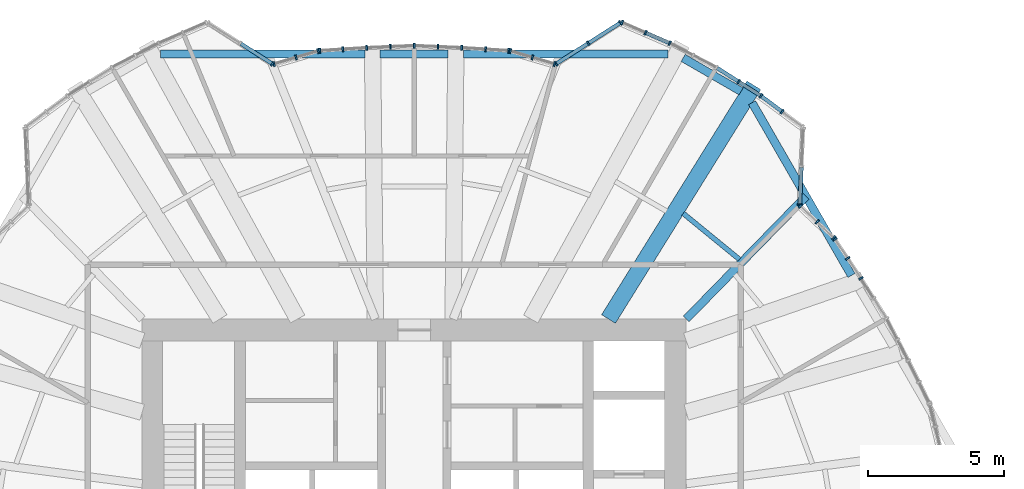
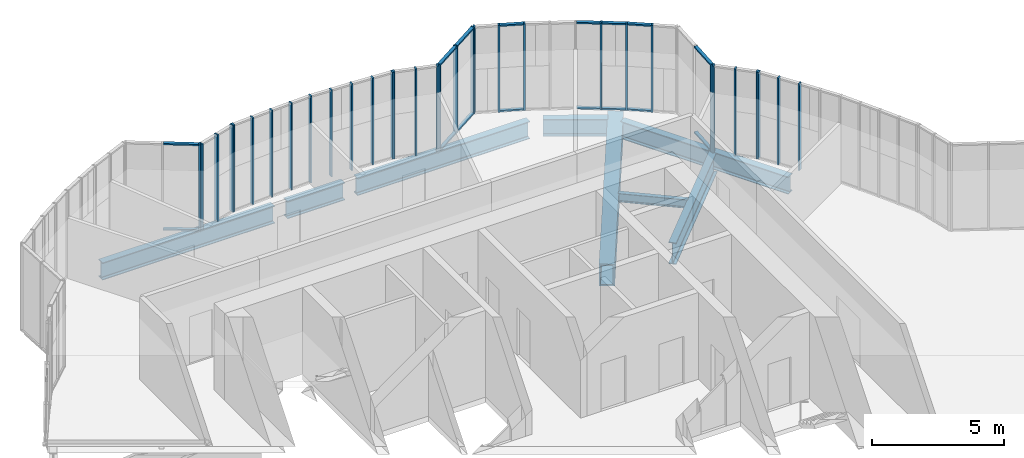
# One storey, part 7 of 24: 48 members, 8 beams, 16 elements without a shape of their own.
"""IFC4 building model written with IfcOpenShell, lengths in metres."""

import ifcopenshell
import ifcopenshell.guid

model = None  # the IFC model being written
_history = None  # IfcOwnerHistory: only IFC2X3 demands one
_inside = {}  # id of a spatial element -> (the spatial element, [elements in it])
_under = {}  # id of a project, library or spatial element -> (it, [spatial elements below it])
_declared = {}  # id of a project -> (the project, [libraries it declares])
_typed = {}  # id of a type object -> (the type object, [elements of that type])
_made_of = {}  # id of a material, layer set ... -> (it, [elements and type objects made of it])


def new_model(schema):
    """Start an empty IFC model of exactly this schema.

    Asked for "IFC4X3", IfcOpenShell would pick the latest addendum, in which some entities
    have other attributes; the version numbers below select the first issue.
    IFC2X3 requires an IfcOwnerHistory on every rooted entity: one is made here for all.
    """
    global model, _history
    if schema == "IFC4X3":
        model = ifcopenshell.file(schema_version=(4, 3, 0, 0))
    else:
        model = ifcopenshell.file(schema=schema)
    _inside.clear()
    _under.clear()
    _declared.clear()
    _typed.clear()
    _made_of.clear()
    _history = None
    if model.schema == "IFC2X3":
        org = make("IfcOrganization", Name="unknown")
        user = make(
            "IfcPersonAndOrganization",
            ThePerson=make("IfcPerson", FamilyName="unknown"),
            TheOrganization=org,
        )
        app = make(
            "IfcApplication",
            ApplicationDeveloper=org,
            Version="unknown",
            ApplicationFullName="unknown",
            ApplicationIdentifier="unknown",
        )
        _history = make(
            "IfcOwnerHistory",
            OwningUser=user,
            OwningApplication=app,
            ChangeAction="ADDED",
            CreationDate=0,
        )
    return model


def make(cls, **values):
    """One entity of the class cls with the attributes given. An attribute that is None is left unset."""
    return model.create_entity(
        cls, **{name: value for name, value in values.items() if value is not None}
    )


def rooted(cls, **values):
    """An entity with a GlobalId (a new one), such as an element, a storey or a relation."""
    return make(cls, GlobalId=ifcopenshell.guid.new(), OwnerHistory=_history, **values)


def si_unit(unit_type, name, prefix=None):
    """IfcSIUnit, for example si_unit("LENGTHUNIT", "METRE", prefix="MILLI")."""
    return make("IfcSIUnit", UnitType=unit_type, Prefix=prefix, Name=name)


def assignment(units):
    """IfcUnitAssignment: the units of a project."""
    return None if units is None else make("IfcUnitAssignment", Units=units)


def point(xyz):
    """IfcCartesianPoint."""
    return None if xyz is None else make("IfcCartesianPoint", Coordinates=xyz)


def direction(xyz):
    """IfcDirection."""
    return None if xyz is None else make("IfcDirection", DirectionRatios=xyz)


def frame(location, z_axis=None, x_axis=None):
    """IfcAxis2Placement3D, a coordinate frame: its origin and axes. An axis left out is left unset."""
    return make(
        "IfcAxis2Placement3D",
        Location=point(location),
        Axis=direction(z_axis),
        RefDirection=direction(x_axis),
    )


def frame_2d(location, x_axis=None):
    """IfcAxis2Placement2D, a coordinate frame in the plane: its origin and x axis."""
    return make(
        "IfcAxis2Placement2D", Location=point(location), RefDirection=direction(x_axis)
    )


def origin():
    """The frame at (0, 0, 0) with its axes left unset."""
    return frame((0.0, 0.0, 0.0))


def origin_2d():
    """The frame at (0, 0) in the plane with its x axis left unset."""
    return frame_2d((0.0, 0.0))


def place(relative_to, where):
    """IfcLocalPlacement: puts the frame where relative to a parent placement (None: the world)."""
    return make(
        "IfcLocalPlacement", PlacementRelTo=relative_to, RelativePlacement=where
    )


def context(
    kind, dimensions, precision=None, world=None, true_north=None, identifier=None
):
    """IfcGeometricRepresentationContext, for example the 3D "Model" context."""
    return make(
        "IfcGeometricRepresentationContext",
        ContextIdentifier=identifier,
        ContextType=kind,
        CoordinateSpaceDimension=dimensions,
        Precision=precision,
        WorldCoordinateSystem=world,
        TrueNorth=true_north,
    )


def subcontext(parent, identifier, kind, view, scale=None):
    """IfcGeometricRepresentationSubContext, for example "Body" below "Model"."""
    return make(
        "IfcGeometricRepresentationSubContext",
        ContextIdentifier=identifier,
        ContextType=kind,
        ParentContext=parent,
        TargetScale=scale,
        TargetView=view,
    )


def project(units=None, contexts=None):
    """IfcProject with its units and contexts."""
    return rooted(
        "IfcProject",
        Name="project",
        RepresentationContexts=contexts,
        UnitsInContext=assignment(units),
    )


def spatial(cls, under=None, at=None, **own):
    """A site, building, storey or space (cls), placed at a placement, below another one or the project."""
    s = rooted(cls, ObjectPlacement=at, **own)
    if under is not None:
        _under.setdefault(under.id(), (under, []))[1].append(s)
    return s


def profile(cls, at=None, kind="AREA", **sizes):
    """A parametric profile (cls). Its sizes go by their IFC names, for example OverallWidth=200.0."""
    return make(cls, ProfileType=kind, Position=at, **sizes)


def rectangle(**sizes):
    """IfcRectangleProfileDef."""
    return profile("IfcRectangleProfileDef", **sizes)


def hollow_rectangle(**sizes):
    """IfcRectangleHollowProfileDef."""
    return profile("IfcRectangleHollowProfileDef", **sizes)


def i_section(**sizes):
    """IfcIShapeProfileDef."""
    return profile("IfcIShapeProfileDef", **sizes)


def extrude(swept, where, along, depth):
    """IfcExtrudedAreaSolid: the profile swept, set in the frame where, extruded along a direction by depth."""
    return make(
        "IfcExtrudedAreaSolid",
        SweptArea=swept,
        Position=where,
        ExtrudedDirection=direction(along),
        Depth=depth,
    )


def shape(context_of_items, identifier, shape_type, items):
    """IfcShapeRepresentation: the items that make up one representation, for example the "Body"."""
    return make(
        "IfcShapeRepresentation",
        ContextOfItems=context_of_items,
        RepresentationIdentifier=identifier,
        RepresentationType=shape_type,
        Items=items,
    )


def material(Name=None, Category=None):
    """IfcMaterial."""
    return make("IfcMaterial", Name=Name, Category=Category)


def material_profile(
    of_material, cross_section, Name=None, Category=None, Priority=None
):
    """IfcMaterialProfile: a cross section and its material."""
    return make(
        "IfcMaterialProfile",
        Name=Name,
        Material=of_material,
        Profile=cross_section,
        Priority=Priority,
        Category=Category,
    )


def profile_set(profiles, Name=None, composite=None):
    """IfcMaterialProfileSet."""
    return make(
        "IfcMaterialProfileSet",
        Name=Name,
        MaterialProfiles=profiles,
        CompositeProfile=composite,
    )


def made_of(thing, what):
    """Note that an element or type object is made of a material, layer set ...; save() writes the relation."""
    if what is not None:
        _made_of.setdefault(what.id(), (what, []))[1].append(thing)
    return thing


def type_object(cls, material=None, **own):
    """A type object (cls), such as IfcWallType, which elements share."""
    return made_of(rooted(cls, **own), material)


def element(
    cls,
    number,
    at=None,
    inside=None,
    cuts=None,
    type_object=None,
    material=None,
    context=None,
    identifier="Body",
    shape_type=None,
    held_by="IfcProductDefinitionShape",
    body=None,
    shapes=None,
    **own,
):
    """One element of the class cls, such as IfcWall. Its Tag is "e" and its number.

    at: its placement. inside: the storey or other place that contains it. cuts: it is an
    opening in that element (IfcRelVoidsElement). A single representation is given by context,
    identifier, shape_type and body (its items); several are given by shapes. held_by: the class
    of the entity that holds the representations. save() writes the other relations.
    """
    e = rooted(cls, Tag="e%d" % number, ObjectPlacement=at, **own)
    if body is not None:
        shapes = [shape(context, identifier, shape_type, body)]
    if shapes is not None:
        e.Representation = make(held_by, Representations=shapes)
    if inside is not None:
        _inside.setdefault(inside.id(), (inside, []))[1].append(e)
    if cuts is not None:
        rooted(
            "IfcRelVoidsElement", RelatingBuildingElement=cuts, RelatedOpeningElement=e
        )
    if type_object is not None:
        _typed.setdefault(type_object.id(), (type_object, []))[1].append(e)
    return made_of(e, material)


def aggregate(whole, parts):
    """IfcRelAggregates: a whole, such as a stair, and the parts it consists of."""
    return rooted("IfcRelAggregates", RelatingObject=whole, RelatedObjects=parts)


def save(model, path):
    """Write the relations noted so far, then the file.

    IfcRelAggregates (storeys below a building ...), IfcRelContainedInSpatialStructure (elements
    in a storey), IfcRelDefinesByType, IfcRelAssociatesMaterial and IfcRelDeclares: one each for
    every whole, place, type object, material and project.
    """
    for whole, parts in _under.values():
        aggregate(whole, parts)
    for where, things in _inside.values():
        rooted(
            "IfcRelContainedInSpatialStructure",
            RelatedElements=things,
            RelatingStructure=where,
        )
    for kind, things in _typed.values():
        rooted("IfcRelDefinesByType", RelatedObjects=things, RelatingType=kind)
    for what, things in _made_of.values():
        rooted("IfcRelAssociatesMaterial", RelatedObjects=things, RelatingMaterial=what)
    for by, libraries in _declared.values():
        rooted("IfcRelDeclares", RelatingContext=by, RelatedDefinitions=libraries)
    model.write(path)


model = new_model("IFC4")

# Units and contexts
model_context = context("Model", 3, precision=1e-05, world=origin(), true_north=direction((0.0, 1.0)))
body_context = subcontext(model_context, "Body", "Model", "MODEL_VIEW")
ifc_project = project(units=[si_unit("LENGTHUNIT", "METRE"), si_unit("AREAUNIT", "SQUARE_METRE"), si_unit("VOLUMEUNIT", "CUBIC_METRE"), si_unit("PLANEANGLEUNIT", "RADIAN"), si_unit("MASSUNIT", "GRAM", prefix="KILO")], contexts=[model_context])

# Site, building, storey
site_placement = place(None, origin())
site = spatial("IfcSite", under=ifc_project, at=site_placement, CompositionType="ELEMENT")
building_placement = place(site_placement, origin())
building = spatial("IfcBuilding", under=site, at=building_placement, Name="Golbaran Civic Tower", CompositionType="ELEMENT")
storey_placement = place(building_placement, frame((0.0, 0.0, 25.0)))
storey = spatial("IfcBuildingStorey", under=building, at=storey_placement, Name="L05", CompositionType="ELEMENT", Elevation=25.0)

# Beams
ifc_material_1 = material(Name="Steel S355", Category="steel")
ifc_material_profile_1 = material_profile(ifc_material_1, i_section(OverallWidth=0.300048828125, OverallDepth=0.800048828125, WebThickness=0.017578125, FlangeThickness=0.032958984375, FilletRadius=0.030029296875, at=origin_2d()), Name="HEB 800")
ifc_profile_set_1 = profile_set([ifc_material_profile_1], Name="Steel S355")
beam_type_1 = type_object("IfcBeamType", Name="EDGE BEAM HEB 800", PredefinedType="BEAM", material=ifc_profile_set_1)
beam_1_placement = place(storey_placement, frame((16.0751953125, 11.600830078125, -0.60009765625), z_axis=(-0.498794630906, 0.866720206398, 0.0), x_axis=(-0.866720206398, -0.498794630906, 0.0)))
element("IfcBeam", 1, at=beam_1_placement, inside=storey, type_object=beam_type_1, Name="Edge beam 34.26 L05", PredefinedType="BEAM", context=body_context, shape_type="SweptSolid", body=[
    extrude(i_section(OverallWidth=0.300048828125, OverallDepth=0.800048828125, WebThickness=0.017578125, FlangeThickness=0.032958984375, FilletRadius=0.030029296875, at=origin_2d()), origin(), (0.0, 0.0, 1.0), 7.32958984375),
])
beam_2_placement = place(storey_placement, frame((12.01806640625, 18.368896484375, -0.60009765625), z_axis=(-0.866183934036, 0.499725316967, 0.0), x_axis=(-0.499725316967, -0.866183934036, 0.0)))
element("IfcBeam", 2, at=beam_2_placement, inside=storey, type_object=beam_type_1, Name="Edge beam 56.17 L05", PredefinedType="BEAM", context=body_context, shape_type="SweptSolid", body=[
    extrude(i_section(OverallWidth=0.300048828125, OverallDepth=0.800048828125, WebThickness=0.017578125, FlangeThickness=0.032958984375, FilletRadius=0.030029296875, at=origin_2d()), origin(), (0.0, 0.0, 1.0), 2.46044921875),
])
beam_3_placement = place(storey_placement, frame((9.324951171875, 19.73828125, -0.60009765625), z_axis=(-0.999999995251, -9.7453222e-05, 0.0), x_axis=(9.7453222e-05, -0.999999995251, 0.0)))
element("IfcBeam", 3, at=beam_3_placement, inside=storey, type_object=beam_type_1, Name="Edge beam 63.83 L05", PredefinedType="BEAM", context=body_context, shape_type="SweptSolid", body=[
    extrude(i_section(OverallWidth=0.300048828125, OverallDepth=0.800048828125, WebThickness=0.017578125, FlangeThickness=0.032958984375, FilletRadius=0.030029296875, at=origin_2d()), origin(), (0.0, 0.0, 1.0), 7.515625),
])
beam_4_placement = place(storey_placement, frame((1.249267578125, 19.737548828125, -0.60009765625), z_axis=(-1.0, 0.0, 0.0), x_axis=(0.0, -1.0, 0.0)))
element("IfcBeam", 4, at=beam_4_placement, inside=storey, type_object=beam_type_1, Name="Edge beam 85.74 L05", PredefinedType="BEAM", context=body_context, shape_type="SweptSolid", body=[
    extrude(i_section(OverallWidth=0.300048828125, OverallDepth=0.800048828125, WebThickness=0.017578125, FlangeThickness=0.032958984375, FilletRadius=0.030029296875, at=origin_2d()), origin(), (0.0, 0.0, 1.0), 2.49853515625),
])
beam_5_placement = place(storey_placement, frame((-1.809326171875, 19.737548828125, -0.60009765625), z_axis=(-0.999999995251, 9.7453222e-05, 0.0), x_axis=(-9.7453222e-05, -0.999999995251, 0.0)))
element("IfcBeam", 5, at=beam_5_placement, inside=storey, type_object=beam_type_1, Name="Edge beam 94.26 L05", PredefinedType="BEAM", context=body_context, shape_type="SweptSolid", body=[
    extrude(i_section(OverallWidth=0.300048828125, OverallDepth=0.800048828125, WebThickness=0.017578125, FlangeThickness=0.032958984375, FilletRadius=0.030029296875, at=origin_2d()), origin(), (0.0, 0.0, 1.0), 7.515625),
])
ifc_material_profile_2 = material_profile(ifc_material_1, i_section(OverallWidth=0.179931640625, OverallDepth=0.39990234375, WebThickness=0.008544921875, FlangeThickness=0.013427734375, FilletRadius=0.02099609375, at=origin_2d()), Name="IPE 400")
ifc_profile_set_2 = profile_set([ifc_material_profile_2], Name="Steel S355")
beam_type_2 = type_object("IfcBeamType", Name="FLOOR INFILL BEAM IPE 400", PredefinedType="BEAM", material=ifc_profile_set_2)
beam_6_placement = place(storey_placement, frame((11.956787109375, 12.190673828125, -0.39990234375), z_axis=(-0.773798586029, 0.633431723439, 0.0), x_axis=(-0.633431723439, -0.773798586029, 0.0)))
element("IfcBeam", 6, at=beam_6_placement, inside=storey, type_object=beam_type_2, Name="Infill beam 50.69 L05", PredefinedType="BEAM", context=body_context, shape_type="SweptSolid", body=[
    extrude(i_section(OverallWidth=0.179931640625, OverallDepth=0.39990234375, WebThickness=0.008544921875, FlangeThickness=0.013427734375, FilletRadius=0.02099609375, at=origin_2d()), origin(), (0.0, 0.0, 1.0), 2.67333984375),
])

# Curtain wall, member
ifc_material_2 = material(Name="Aluminium and glass", Category="aluminium")
curtain_wall_type = type_object("IfcCurtainWallType", Name="INNER SKIN CURTAIN WALL", PredefinedType="NOTDEFINED", material=ifc_material_2)
curtain_wall_1_placement = place(storey_placement, origin())
curtain_wall_1 = element("IfcCurtainWall", 7, at=curtain_wall_1_placement, inside=storey, type_object=curtain_wall_type, Name="Inner skin L05 facet 7 CW1", ObjectType="INNER SKIN", PredefinedType="USERDEFINED")
ifc_material_3 = material(Name="Aluminium", Category="aluminium")
ifc_material_profile_3 = material_profile(ifc_material_3, rectangle(XDim=0.179931640625, YDim=0.06494140625, at=origin_2d()), Name="INNER SKIN CURTAIN WALL MULLION")
ifc_profile_set_3 = profile_set([ifc_material_profile_3], Name="Aluminium")
member_type_1 = type_object("IfcMemberType", Name="INNER SKIN CURTAIN WALL MULLION", PredefinedType="MULLION", material=ifc_profile_set_3)
member_1_placement = place(storey_placement, frame((16.421630859375, 11.49853515625, 0.0), z_axis=(0.0, 0.0, 1.0), x_axis=(-0.838087628106, -0.54553563368, 0.0)))
member_1 = element("IfcMember", 8, at=member_1_placement, type_object=member_type_1, Name="CW1 mullion 3", PredefinedType="MULLION", context=body_context, shape_type="SweptSolid", body=[
    extrude(rectangle(XDim=0.179931640625, YDim=0.06494140625, at=origin_2d()), origin(), (0.0, 0.0, 1.0), 4.0),
])
aggregate(curtain_wall_1, [member_1])

# Curtain wall, members
curtain_wall_2_placement = place(storey_placement, origin())
curtain_wall_2 = element("IfcCurtainWall", 9, at=curtain_wall_2_placement, inside=storey, type_object=curtain_wall_type, Name="Inner skin L05 facet 8 CW1", ObjectType="INNER SKIN", PredefinedType="USERDEFINED")
member_2_placement = place(storey_placement, frame((15.934814453125, 12.23046875, 0.0), z_axis=(0.0, 0.0, 1.0), x_axis=(-0.832703385336, -0.553719307998, 0.0)))
member_2 = element("IfcMember", 10, at=member_2_placement, type_object=member_type_1, Name="CW1 mullion 2", PredefinedType="MULLION", context=body_context, shape_type="SweptSolid", body=[
    extrude(rectangle(XDim=0.179931640625, YDim=0.06494140625, at=origin_2d()), origin(), (0.0, 0.0, 1.0), 4.0),
])
member_3_placement = place(storey_placement, frame((15.466064453125, 12.935302734375, 0.0), z_axis=(0.0, 0.0, 1.0), x_axis=(-0.832703385336, -0.553719307998, 0.0)))
member_3 = element("IfcMember", 11, at=member_3_placement, type_object=member_type_1, Name="CW1 mullion 3", PredefinedType="MULLION", context=body_context, shape_type="SweptSolid", body=[
    extrude(rectangle(XDim=0.179931640625, YDim=0.06494140625, at=origin_2d()), origin(), (0.0, 0.0, 1.0), 4.0),
])
aggregate(curtain_wall_2, [member_2, member_3])

curtain_wall_3_placement = place(storey_placement, origin())
curtain_wall_3 = element("IfcCurtainWall", 12, at=curtain_wall_3_placement, inside=storey, type_object=curtain_wall_type, Name="Inner skin L05 facet 9 CW1", ObjectType="INNER SKIN", PredefinedType="USERDEFINED")
member_4_placement = place(storey_placement, frame((15.424560546875, 12.98486328125, 0.0), z_axis=(0.0, 0.0, 1.0), x_axis=(-0.689904492493, -0.723900401463, 0.0)))
member_4 = element("IfcMember", 13, at=member_4_placement, type_object=member_type_1, Name="CW1 mullion 1", PredefinedType="MULLION", context=body_context, shape_type="SweptSolid", body=[
    extrude(rectangle(XDim=0.179931640625, YDim=0.06494140625, at=origin_2d()), origin(), (0.0, 0.0, 1.0), 4.0),
])
member_5_placement = place(storey_placement, frame((14.811767578125, 13.56884765625, 0.0), z_axis=(0.0, 0.0, 1.0), x_axis=(-0.689904492493, -0.723900401463, 0.0)))
member_5 = element("IfcMember", 14, at=member_5_placement, type_object=member_type_1, Name="CW1 mullion 2", PredefinedType="MULLION", context=body_context, shape_type="SweptSolid", body=[
    extrude(rectangle(XDim=0.179931640625, YDim=0.06494140625, at=origin_2d()), origin(), (0.0, 0.0, 1.0), 4.0),
])
member_6_placement = place(storey_placement, frame((14.198974609375, 14.15283203125, 0.0), z_axis=(0.0, 0.0, 1.0), x_axis=(-0.689904492493, -0.723900401463, 0.0)))
member_6 = element("IfcMember", 15, at=member_6_placement, type_object=member_type_1, Name="CW1 mullion 3", PredefinedType="MULLION", context=body_context, shape_type="SweptSolid", body=[
    extrude(rectangle(XDim=0.179931640625, YDim=0.06494140625, at=origin_2d()), origin(), (0.0, 0.0, 1.0), 4.0),
])
aggregate(curtain_wall_3, [member_4, member_5, member_6])

# Curtain wall, member
curtain_wall_4_placement = place(storey_placement, origin())
curtain_wall_4 = element("IfcCurtainWall", 16, at=curtain_wall_4_placement, inside=storey, type_object=curtain_wall_type, Name="Inner skin L05 facet 10 CW1", ObjectType="INNER SKIN", PredefinedType="USERDEFINED")
member_7_placement = place(storey_placement, frame((14.1767578125, 14.207763671875, 0.0), z_axis=(0.0, 0.0, 1.0), x_axis=(-0.999008307341, 0.044524171678, 0.0)))
member_7 = element("IfcMember", 17, at=member_7_placement, type_object=member_type_1, Name="CW1 mullion 1", PredefinedType="MULLION", context=body_context, shape_type="SweptSolid", body=[
    extrude(rectangle(XDim=0.179931640625, YDim=0.06494140625, at=origin_2d()), origin(), (0.0, 0.0, 1.0), 4.0),
])

# Curtain wall, members
curtain_wall_5_placement = place(storey_placement, origin())
curtain_wall_5 = element("IfcCurtainWall", 18, at=curtain_wall_5_placement, inside=storey, type_object=curtain_wall_type, Name="Inner skin L05 facet 11 CW1", ObjectType="INNER SKIN", PredefinedType="USERDEFINED")
member_8_placement = place(storey_placement, frame((13.5244140625, 17.624267578125, 0.0), z_axis=(0.0, 0.0, 1.0), x_axis=(-0.596019495177, -0.802969962931, 0.0)))
member_8 = element("IfcMember", 19, at=member_8_placement, type_object=member_type_1, Name="CW1 mullion 2", PredefinedType="MULLION", context=body_context, shape_type="SweptSolid", body=[
    extrude(rectangle(XDim=0.179931640625, YDim=0.06494140625, at=origin_2d()), origin(), (0.0, 0.0, 1.0), 4.0),
])
member_9_placement = place(storey_placement, frame((12.745361328125, 18.202392578125, 0.0), z_axis=(0.0, 0.0, 1.0), x_axis=(-0.567019860077, -0.823704120591, 0.0)))
member_9 = element("IfcMember", 20, at=member_9_placement, type_object=member_type_1, Name="CW1 mullion 3", PredefinedType="MULLION", context=body_context, shape_type="SweptSolid", body=[
    extrude(rectangle(XDim=0.179931640625, YDim=0.06494140625, at=origin_2d()), origin(), (0.0, 0.0, 1.0), 4.0),
])

# Curtain wall, member
curtain_wall_6_placement = place(storey_placement, origin())
curtain_wall_6 = element("IfcCurtainWall", 21, at=curtain_wall_6_placement, inside=storey, type_object=curtain_wall_type, Name="Inner skin L05 facet 12 CW1", ObjectType="INNER SKIN", PredefinedType="USERDEFINED")
member_10_placement = place(storey_placement, frame((11.927978515625, 18.72314453125, 0.0), z_axis=(0.0, 0.0, 1.0), x_axis=(-0.537299608259, -0.843391445869, 0.0)))
member_10 = element("IfcMember", 22, at=member_10_placement, type_object=member_type_1, Name="CW1 mullion 2", PredefinedType="MULLION", context=body_context, shape_type="SweptSolid", body=[
    extrude(rectangle(XDim=0.179931640625, YDim=0.06494140625, at=origin_2d()), origin(), (0.0, 0.0, 1.0), 4.0),
])

curtain_wall_7_placement = place(storey_placement, origin())
curtain_wall_7 = element("IfcCurtainWall", 23, at=curtain_wall_7_placement, inside=storey, type_object=curtain_wall_type, Name="Inner skin L05 facet 13 CW1", ObjectType="INNER SKIN", PredefinedType="USERDEFINED")
member_11_placement = place(storey_placement, frame((9.39111328125, 20.13916015625, 0.0), z_axis=(0.0, 0.0, 1.0), x_axis=(-0.429838763705, -0.90290566352, 0.0)))
member_11 = element("IfcMember", 24, at=member_11_placement, type_object=member_type_1, Name="CW1 mullion 3", PredefinedType="MULLION", context=body_context, shape_type="SweptSolid", body=[
    extrude(rectangle(XDim=0.179931640625, YDim=0.06494140625, at=origin_2d()), origin(), (0.0, 0.0, 1.0), 4.0),
])
aggregate(curtain_wall_7, [member_11])

# Curtain wall, members
curtain_wall_8_placement = place(storey_placement, origin())
curtain_wall_8 = element("IfcCurtainWall", 25, at=curtain_wall_8_placement, inside=storey, type_object=curtain_wall_type, Name="Inner skin L05 facet 14 CW1", ObjectType="INNER SKIN", PredefinedType="USERDEFINED")
member_12_placement = place(storey_placement, frame((8.500732421875, 20.524658203125, 0.0), z_axis=(0.0, 0.0, 1.0), x_axis=(-0.397382638705, -0.917653005474, 0.0)))
member_12 = element("IfcMember", 26, at=member_12_placement, type_object=member_type_1, Name="CW1 mullion 2", PredefinedType="MULLION", context=body_context, shape_type="SweptSolid", body=[
    extrude(rectangle(XDim=0.179931640625, YDim=0.06494140625, at=origin_2d()), origin(), (0.0, 0.0, 1.0), 4.0),
])
member_13_placement = place(storey_placement, frame((7.640380859375, 20.897216796875, 0.0), z_axis=(0.0, 0.0, 1.0), x_axis=(-0.397382638705, -0.917653005474, 0.0)))
member_13 = element("IfcMember", 27, at=member_13_placement, type_object=member_type_1, Name="CW1 mullion 3", PredefinedType="MULLION", context=body_context, shape_type="SweptSolid", body=[
    extrude(rectangle(XDim=0.179931640625, YDim=0.06494140625, at=origin_2d()), origin(), (0.0, 0.0, 1.0), 4.0),
])

curtain_wall_9_placement = place(storey_placement, origin())
curtain_wall_9 = element("IfcCurtainWall", 28, at=curtain_wall_9_placement, inside=storey, type_object=curtain_wall_type, Name="Inner skin L05 facet 15 CW1", ObjectType="INNER SKIN", PredefinedType="USERDEFINED")
member_14_placement = place(storey_placement, frame((7.583251953125, 20.892578125, 0.0), z_axis=(0.0, 0.0, 1.0), x_axis=(0.53806321722, -0.842904487042, 0.0)))
member_14 = element("IfcMember", 29, at=member_14_placement, type_object=member_type_1, Name="CW1 mullion 1", PredefinedType="MULLION", context=body_context, shape_type="SweptSolid", body=[
    extrude(rectangle(XDim=0.179931640625, YDim=0.06494140625, at=origin_2d()), origin(), (0.0, 0.0, 1.0), 4.0),
])
member_15_placement = place(storey_placement, frame((6.399658203125, 20.136962890625, 0.0), z_axis=(0.0, 0.0, 1.0), x_axis=(0.53806321722, -0.842904487042, 0.0)))
member_15 = element("IfcMember", 30, at=member_15_placement, type_object=member_type_1, Name="CW1 mullion 2", PredefinedType="MULLION", context=body_context, shape_type="SweptSolid", body=[
    extrude(rectangle(XDim=0.179931640625, YDim=0.06494140625, at=origin_2d()), origin(), (0.0, 0.0, 1.0), 4.0),
])
member_16_placement = place(storey_placement, frame((5.2158203125, 19.38134765625, 0.0), z_axis=(0.0, 0.0, 1.0), x_axis=(0.53806321722, -0.842904487042, 0.0)))
member_16 = element("IfcMember", 31, at=member_16_placement, type_object=member_type_1, Name="CW1 mullion 3", PredefinedType="MULLION", context=body_context, shape_type="SweptSolid", body=[
    extrude(rectangle(XDim=0.179931640625, YDim=0.06494140625, at=origin_2d()), origin(), (0.0, 0.0, 1.0), 4.0),
])

curtain_wall_10_placement = place(storey_placement, origin())
curtain_wall_10 = element("IfcCurtainWall", 32, at=curtain_wall_10_placement, inside=storey, type_object=curtain_wall_type, Name="Inner skin L05 facet 16 CW1", ObjectType="INNER SKIN", PredefinedType="USERDEFINED")
member_17_placement = place(storey_placement, frame((5.157470703125, 19.373046875, 0.0), z_axis=(0.0, 0.0, 1.0), x_axis=(-0.28196389056, -0.959425017612, 0.0)))
member_17 = element("IfcMember", 33, at=member_17_placement, type_object=member_type_1, Name="CW1 mullion 1", PredefinedType="MULLION", context=body_context, shape_type="SweptSolid", body=[
    extrude(rectangle(XDim=0.179931640625, YDim=0.06494140625, at=origin_2d()), origin(), (0.0, 0.0, 1.0), 4.0),
])
member_18_placement = place(storey_placement, frame((4.34521484375, 19.61181640625, 0.0), z_axis=(0.0, 0.0, 1.0), x_axis=(-0.28196389056, -0.959425017612, 0.0)))
member_18 = element("IfcMember", 34, at=member_18_placement, type_object=member_type_1, Name="CW1 mullion 2", PredefinedType="MULLION", context=body_context, shape_type="SweptSolid", body=[
    extrude(rectangle(XDim=0.179931640625, YDim=0.06494140625, at=origin_2d()), origin(), (0.0, 0.0, 1.0), 4.0),
])
member_19_placement = place(storey_placement, frame((3.532958984375, 19.8505859375, 0.0), z_axis=(0.0, 0.0, 1.0), x_axis=(-0.28196389056, -0.959425017612, 0.0)))
member_19 = element("IfcMember", 35, at=member_19_placement, type_object=member_type_1, Name="CW1 mullion 3", PredefinedType="MULLION", context=body_context, shape_type="SweptSolid", body=[
    extrude(rectangle(XDim=0.179931640625, YDim=0.06494140625, at=origin_2d()), origin(), (0.0, 0.0, 1.0), 4.0),
])
aggregate(curtain_wall_10, [member_17, member_18, member_19])

curtain_wall_11_placement = place(storey_placement, origin())
curtain_wall_11 = element("IfcCurtainWall", 36, at=curtain_wall_11_placement, inside=storey, type_object=curtain_wall_type, Name="Inner skin L05 facet 17 CW1", ObjectType="INNER SKIN", PredefinedType="USERDEFINED")
member_20_placement = place(storey_placement, frame((3.46923828125, 19.861572265625, 0.0), z_axis=(0.0, 0.0, 1.0), x_axis=(-0.063183294799, -0.998001939506, 0.0)))
member_20 = element("IfcMember", 37, at=member_20_placement, type_object=member_type_1, Name="CW1 mullion 1", PredefinedType="MULLION", context=body_context, shape_type="SweptSolid", body=[
    extrude(rectangle(XDim=0.179931640625, YDim=0.06494140625, at=origin_2d()), origin(), (0.0, 0.0, 1.0), 4.0),
])
member_21_placement = place(storey_placement, frame((2.62451171875, 19.915283203125, 0.0), z_axis=(0.0, 0.0, 1.0), x_axis=(-0.063183294799, -0.998001939506, 0.0)))
member_21 = element("IfcMember", 38, at=member_21_placement, type_object=member_type_1, Name="CW1 mullion 2", PredefinedType="MULLION", context=body_context, shape_type="SweptSolid", body=[
    extrude(rectangle(XDim=0.179931640625, YDim=0.06494140625, at=origin_2d()), origin(), (0.0, 0.0, 1.0), 4.0),
])
member_22_placement = place(storey_placement, frame((1.747314453125, 19.970703125, 0.0), z_axis=(0.0, 0.0, 1.0), x_axis=(-0.053403903366, -0.998572993379, 0.0)))
member_22 = element("IfcMember", 39, at=member_22_placement, type_object=member_type_1, Name="CW1 mullion 3", PredefinedType="MULLION", context=body_context, shape_type="SweptSolid", body=[
    extrude(rectangle(XDim=0.179931640625, YDim=0.06494140625, at=origin_2d()), origin(), (0.0, 0.0, 1.0), 4.0),
])
aggregate(curtain_wall_11, [member_20, member_21, member_22])

curtain_wall_12_placement = place(storey_placement, origin())
curtain_wall_12 = element("IfcCurtainWall", 40, at=curtain_wall_12_placement, inside=storey, type_object=curtain_wall_type, Name="Inner skin L05 facet 18 CW1", ObjectType="INNER SKIN", PredefinedType="USERDEFINED")
member_23_placement = place(storey_placement, frame((0.87353515625, 20.0087890625, 0.0), z_axis=(0.0, 0.0, 1.0), x_axis=(-0.043619387156, -0.999048221591, 0.0)))
member_23 = element("IfcMember", 41, at=member_23_placement, type_object=member_type_1, Name="CW1 mullion 2", PredefinedType="MULLION", context=body_context, shape_type="SweptSolid", body=[
    extrude(rectangle(XDim=0.179931640625, YDim=0.06494140625, at=origin_2d()), origin(), (0.0, 0.0, 1.0), 4.0),
])
member_24_placement = place(storey_placement, frame((0.0, 20.047119140625, 0.0), z_axis=(0.0, 0.0, 1.0), x_axis=(1.05e-10, -1.0, 0.0)))
member_24 = element("IfcMember", 42, at=member_24_placement, type_object=member_type_1, Name="CW1 mullion 3", PredefinedType="MULLION", context=body_context, shape_type="SweptSolid", body=[
    extrude(rectangle(XDim=0.179931640625, YDim=0.06494140625, at=origin_2d()), origin(), (0.0, 0.0, 1.0), 4.0),
])
aggregate(curtain_wall_12, [member_23, member_24])

curtain_wall_13_placement = place(storey_placement, origin())
curtain_wall_13 = element("IfcCurtainWall", 43, at=curtain_wall_13_placement, inside=storey, type_object=curtain_wall_type, Name="Inner skin L05 facet 19 CW1", ObjectType="INNER SKIN", PredefinedType="USERDEFINED")
member_25_placement = place(storey_placement, frame((-0.87353515625, 20.0087890625, 0.0), z_axis=(0.0, 0.0, 1.0), x_axis=(0.043619387156, -0.999048221591, 0.0)))
member_25 = element("IfcMember", 44, at=member_25_placement, type_object=member_type_1, Name="CW1 mullion 2", PredefinedType="MULLION", context=body_context, shape_type="SweptSolid", body=[
    extrude(rectangle(XDim=0.179931640625, YDim=0.06494140625, at=origin_2d()), origin(), (0.0, 0.0, 1.0), 4.0),
])
member_26_placement = place(storey_placement, frame((-1.747314453125, 19.970703125, 0.0), z_axis=(0.0, 0.0, 1.0), x_axis=(0.053403903296, -0.998572993382, 0.0)))
member_26 = element("IfcMember", 45, at=member_26_placement, type_object=member_type_1, Name="CW1 mullion 3", PredefinedType="MULLION", context=body_context, shape_type="SweptSolid", body=[
    extrude(rectangle(XDim=0.179931640625, YDim=0.06494140625, at=origin_2d()), origin(), (0.0, 0.0, 1.0), 4.0),
])
aggregate(curtain_wall_13, [member_25, member_26])

curtain_wall_14_placement = place(storey_placement, origin())
curtain_wall_14 = element("IfcCurtainWall", 46, at=curtain_wall_14_placement, inside=storey, type_object=curtain_wall_type, Name="Inner skin L05 facet 20 CW1", ObjectType="INNER SKIN", PredefinedType="USERDEFINED")
member_27_placement = place(storey_placement, frame((-2.62451171875, 19.915283203125, 0.0), z_axis=(0.0, 0.0, 1.0), x_axis=(0.063183294799, -0.998001939506, 0.0)))
member_27 = element("IfcMember", 47, at=member_27_placement, type_object=member_type_1, Name="CW1 mullion 2", PredefinedType="MULLION", context=body_context, shape_type="SweptSolid", body=[
    extrude(rectangle(XDim=0.179931640625, YDim=0.06494140625, at=origin_2d()), origin(), (0.0, 0.0, 1.0), 4.0),
])
member_28_placement = place(storey_placement, frame((-3.46923828125, 19.861572265625, 0.0), z_axis=(0.0, 0.0, 1.0), x_axis=(0.063183294799, -0.998001939506, 0.0)))
member_28 = element("IfcMember", 48, at=member_28_placement, type_object=member_type_1, Name="CW1 mullion 3", PredefinedType="MULLION", context=body_context, shape_type="SweptSolid", body=[
    extrude(rectangle(XDim=0.179931640625, YDim=0.06494140625, at=origin_2d()), origin(), (0.0, 0.0, 1.0), 4.0),
])
aggregate(curtain_wall_14, [member_27, member_28])

curtain_wall_15_placement = place(storey_placement, origin())
curtain_wall_15 = element("IfcCurtainWall", 49, at=curtain_wall_15_placement, inside=storey, type_object=curtain_wall_type, Name="Inner skin L05 facet 21 CW1", ObjectType="INNER SKIN", PredefinedType="USERDEFINED")
member_29_placement = place(storey_placement, frame((-3.532958984375, 19.8505859375, 0.0), z_axis=(0.0, 0.0, 1.0), x_axis=(0.28196389056, -0.959425017612, 0.0)))
member_29 = element("IfcMember", 50, at=member_29_placement, type_object=member_type_1, Name="CW1 mullion 1", PredefinedType="MULLION", context=body_context, shape_type="SweptSolid", body=[
    extrude(rectangle(XDim=0.179931640625, YDim=0.06494140625, at=origin_2d()), origin(), (0.0, 0.0, 1.0), 4.0),
])
member_30_placement = place(storey_placement, frame((-4.34521484375, 19.61181640625, 0.0), z_axis=(0.0, 0.0, 1.0), x_axis=(0.28196389056, -0.959425017612, 0.0)))
member_30 = element("IfcMember", 51, at=member_30_placement, type_object=member_type_1, Name="CW1 mullion 2", PredefinedType="MULLION", context=body_context, shape_type="SweptSolid", body=[
    extrude(rectangle(XDim=0.179931640625, YDim=0.06494140625, at=origin_2d()), origin(), (0.0, 0.0, 1.0), 4.0),
])
member_31_placement = place(storey_placement, frame((-5.157470703125, 19.373046875, 0.0), z_axis=(0.0, 0.0, 1.0), x_axis=(0.28196389056, -0.959425017612, 0.0)))
member_31 = element("IfcMember", 52, at=member_31_placement, type_object=member_type_1, Name="CW1 mullion 3", PredefinedType="MULLION", context=body_context, shape_type="SweptSolid", body=[
    extrude(rectangle(XDim=0.179931640625, YDim=0.06494140625, at=origin_2d()), origin(), (0.0, 0.0, 1.0), 4.0),
])
aggregate(curtain_wall_15, [member_29, member_30, member_31])

# Curtain wall, member
curtain_wall_16_placement = place(storey_placement, origin())
curtain_wall_16 = element("IfcCurtainWall", 53, at=curtain_wall_16_placement, inside=storey, type_object=curtain_wall_type, Name="Inner skin L05 facet 22 CW1", ObjectType="INNER SKIN", PredefinedType="USERDEFINED")
member_32_placement = place(storey_placement, frame((-5.2158203125, 19.38134765625, 0.0), z_axis=(0.0, 0.0, 1.0), x_axis=(-0.53806321722, -0.842904487042, 0.0)))
member_32 = element("IfcMember", 54, at=member_32_placement, type_object=member_type_1, Name="CW1 mullion 1", PredefinedType="MULLION", context=body_context, shape_type="SweptSolid", body=[
    extrude(rectangle(XDim=0.179931640625, YDim=0.06494140625, at=origin_2d()), origin(), (0.0, 0.0, 1.0), 4.0),
])

# Member
ifc_material_profile_4 = material_profile(ifc_material_3, rectangle(XDim=0.139892578125, YDim=0.06494140625, at=origin_2d()), Name="INNER SKIN CURTAIN WALL TRANSOM")
ifc_profile_set_4 = profile_set([ifc_material_profile_4], Name="Aluminium")
member_type_2 = type_object("IfcMemberType", Name="INNER SKIN CURTAIN WALL TRANSOM", PredefinedType="USERDEFINED", material=ifc_profile_set_4)
member_33_placement = place(storey_placement, frame((14.17822265625, 14.240234375, 0.032470703125), z_axis=(0.044481476472, 0.999010209283, 0.0), x_axis=(-0.999010209283, 0.044481476472, 0.0)))
member_33 = element("IfcMember", 55, at=member_33_placement, type_object=member_type_2, Name="CW1 transom 1.1", ObjectType="TRANSOM", PredefinedType="USERDEFINED", context=body_context, shape_type="SweptSolid", body=[
    extrude(rectangle(XDim=0.139892578125, YDim=0.06494140625, at=origin_2d()), origin(), (0.0, 0.0, 1.0), 1.339111328125),
])

member_34_placement = place(storey_placement, frame((14.17822265625, 14.240234375, 3.967529296875), z_axis=(0.044481476472, 0.999010209283, 0.0), x_axis=(-0.999010209283, 0.044481476472, 0.0)))
member_34 = element("IfcMember", 56, at=member_34_placement, type_object=member_type_2, Name="CW1 transom 1.2", ObjectType="TRANSOM", PredefinedType="USERDEFINED", context=body_context, shape_type="SweptSolid", body=[
    extrude(rectangle(XDim=0.139892578125, YDim=0.06494140625, at=origin_2d()), origin(), (0.0, 0.0, 1.0), 1.339111328125),
])

aggregate(curtain_wall_4, [member_7, member_33, member_34])

member_35_placement = place(storey_placement, frame((13.498291015625, 17.6435546875, 0.032470703125), z_axis=(-0.802935627564, 0.59606574972, 0.0), x_axis=(-0.59606574972, -0.802935627564, 0.0)))
member_35 = element("IfcMember", 57, at=member_35_placement, type_object=member_type_2, Name="CW1 transom 2.1", ObjectType="TRANSOM", PredefinedType="USERDEFINED", context=body_context, shape_type="SweptSolid", body=[
    extrude(rectangle(XDim=0.139892578125, YDim=0.06494140625, at=origin_2d()), origin(), (0.0, 0.0, 1.0), 0.9052734375),
])

member_36_placement = place(storey_placement, frame((13.498291015625, 17.6435546875, 3.967529296875), z_axis=(-0.802935627564, 0.59606574972, 0.0), x_axis=(-0.59606574972, -0.802935627564, 0.0)))
member_36 = element("IfcMember", 58, at=member_36_placement, type_object=member_type_2, Name="CW1 transom 2.2", ObjectType="TRANSOM", PredefinedType="USERDEFINED", context=body_context, shape_type="SweptSolid", body=[
    extrude(rectangle(XDim=0.139892578125, YDim=0.06494140625, at=origin_2d()), origin(), (0.0, 0.0, 1.0), 0.9052734375),
])

aggregate(curtain_wall_5, [member_8, member_9, member_35, member_36])

member_37_placement = place(storey_placement, frame((12.718017578125, 18.2197265625, 0.032470703125), z_axis=(-0.843294489166, 0.537451769504, 0.0), x_axis=(-0.537451769504, -0.843294489166, 0.0)))
member_37 = element("IfcMember", 59, at=member_37_placement, type_object=member_type_2, Name="CW1 transom 1.1", ObjectType="TRANSOM", PredefinedType="USERDEFINED", context=body_context, shape_type="SweptSolid", body=[
    extrude(rectangle(XDim=0.139892578125, YDim=0.06494140625, at=origin_2d()), origin(), (0.0, 0.0, 1.0), 0.904541015625),
])

member_38_placement = place(storey_placement, frame((12.718017578125, 18.2197265625, 3.967529296875), z_axis=(-0.843294489166, 0.537451769504, 0.0), x_axis=(-0.537451769504, -0.843294489166, 0.0)))
member_38 = element("IfcMember", 60, at=member_38_placement, type_object=member_type_2, Name="CW1 transom 1.2", ObjectType="TRANSOM", PredefinedType="USERDEFINED", context=body_context, shape_type="SweptSolid", body=[
    extrude(rectangle(XDim=0.139892578125, YDim=0.06494140625, at=origin_2d()), origin(), (0.0, 0.0, 1.0), 0.904541015625),
])

member_39_placement = place(storey_placement, frame((11.900634765625, 18.74072265625, 0.032470703125), z_axis=(-0.843416830276, 0.537259760643, 0.0), x_axis=(-0.537259760643, -0.843416830276, 0.0)))
member_39 = element("IfcMember", 61, at=member_39_placement, type_object=member_type_2, Name="CW1 transom 2.1", ObjectType="TRANSOM", PredefinedType="USERDEFINED", context=body_context, shape_type="SweptSolid", body=[
    extrude(rectangle(XDim=0.139892578125, YDim=0.06494140625, at=origin_2d()), origin(), (0.0, 0.0, 1.0), 0.904296875),
])

member_40_placement = place(storey_placement, frame((11.900634765625, 18.74072265625, 3.967529296875), z_axis=(-0.843416830276, 0.537259760643, 0.0), x_axis=(-0.537259760643, -0.843416830276, 0.0)))
member_40 = element("IfcMember", 62, at=member_40_placement, type_object=member_type_2, Name="CW1 transom 2.2", ObjectType="TRANSOM", PredefinedType="USERDEFINED", context=body_context, shape_type="SweptSolid", body=[
    extrude(rectangle(XDim=0.139892578125, YDim=0.06494140625, at=origin_2d()), origin(), (0.0, 0.0, 1.0), 0.904296875),
])

aggregate(curtain_wall_6, [member_10, member_37, member_38, member_39, member_40])

member_41_placement = place(storey_placement, frame((9.361083984375, 20.152099609375, 0.032470703125), z_axis=(-0.917631075414, 0.397433276708, 0.0), x_axis=(-0.397433276708, -0.917631075414, 0.0)))
member_41 = element("IfcMember", 63, at=member_41_placement, type_object=member_type_2, Name="CW1 transom 1.1", ObjectType="TRANSOM", PredefinedType="USERDEFINED", context=body_context, shape_type="SweptSolid", body=[
    extrude(rectangle(XDim=0.139892578125, YDim=0.06494140625, at=origin_2d()), origin(), (0.0, 0.0, 1.0), 0.90478515625),
])

member_42_placement = place(storey_placement, frame((9.361083984375, 20.152099609375, 3.967529296875), z_axis=(-0.917631075414, 0.397433276708, 0.0), x_axis=(-0.397433276708, -0.917631075414, 0.0)))
member_42 = element("IfcMember", 64, at=member_42_placement, type_object=member_type_2, Name="CW1 transom 1.2", ObjectType="TRANSOM", PredefinedType="USERDEFINED", context=body_context, shape_type="SweptSolid", body=[
    extrude(rectangle(XDim=0.139892578125, YDim=0.06494140625, at=origin_2d()), origin(), (0.0, 0.0, 1.0), 0.90478515625),
])

aggregate(curtain_wall_8, [member_12, member_13, member_41, member_42])

member_43_placement = place(storey_placement, frame((7.555908203125, 20.875, 0.032470703125), z_axis=(-0.842962666543, -0.537972065088, 0.0), x_axis=(0.537972065088, -0.842962666543, 0.0)))
member_43 = element("IfcMember", 65, at=member_43_placement, type_object=member_type_2, Name="CW1 transom 1.1", ObjectType="TRANSOM", PredefinedType="USERDEFINED", context=body_context, shape_type="SweptSolid", body=[
    extrude(rectangle(XDim=0.139892578125, YDim=0.06494140625, at=origin_2d()), origin(), (0.0, 0.0, 1.0), 1.339111328125),
])

member_44_placement = place(storey_placement, frame((7.555908203125, 20.875, 3.967529296875), z_axis=(-0.842962666543, -0.537972065088, 0.0), x_axis=(0.537972065088, -0.842962666543, 0.0)))
member_44 = element("IfcMember", 66, at=member_44_placement, type_object=member_type_2, Name="CW1 transom 1.2", ObjectType="TRANSOM", PredefinedType="USERDEFINED", context=body_context, shape_type="SweptSolid", body=[
    extrude(rectangle(XDim=0.139892578125, YDim=0.06494140625, at=origin_2d()), origin(), (0.0, 0.0, 1.0), 1.339111328125),
])

member_45_placement = place(storey_placement, frame((6.372314453125, 20.119384765625, 0.032470703125), z_axis=(-0.842962666543, -0.537972065088, 0.0), x_axis=(0.537972065088, -0.842962666543, 0.0)))
member_45 = element("IfcMember", 67, at=member_45_placement, type_object=member_type_2, Name="CW1 transom 2.1", ObjectType="TRANSOM", PredefinedType="USERDEFINED", context=body_context, shape_type="SweptSolid", body=[
    extrude(rectangle(XDim=0.139892578125, YDim=0.06494140625, at=origin_2d()), origin(), (0.0, 0.0, 1.0), 1.339111328125),
])

member_46_placement = place(storey_placement, frame((6.372314453125, 20.119384765625, 3.967529296875), z_axis=(-0.842962666543, -0.537972065088, 0.0), x_axis=(0.537972065088, -0.842962666543, 0.0)))
member_46 = element("IfcMember", 68, at=member_46_placement, type_object=member_type_2, Name="CW1 transom 2.2", ObjectType="TRANSOM", PredefinedType="USERDEFINED", context=body_context, shape_type="SweptSolid", body=[
    extrude(rectangle(XDim=0.139892578125, YDim=0.06494140625, at=origin_2d()), origin(), (0.0, 0.0, 1.0), 1.339111328125),
])

aggregate(curtain_wall_9, [member_14, member_15, member_16, member_43, member_44, member_45, member_46])

member_47_placement = place(storey_placement, frame((-5.243408203125, 19.39892578125, 0.032470703125), z_axis=(-0.842962666543, 0.537972065088, 0.0), x_axis=(-0.537972065088, -0.842962666543, 0.0)))
member_47 = element("IfcMember", 69, at=member_47_placement, type_object=member_type_2, Name="CW1 transom 1.1", ObjectType="TRANSOM", PredefinedType="USERDEFINED", context=body_context, shape_type="SweptSolid", body=[
    extrude(rectangle(XDim=0.139892578125, YDim=0.06494140625, at=origin_2d()), origin(), (0.0, 0.0, 1.0), 1.339111328125),
])

member_48_placement = place(storey_placement, frame((-5.243408203125, 19.39892578125, 3.967529296875), z_axis=(-0.842962666543, 0.537972065088, 0.0), x_axis=(-0.537972065088, -0.842962666543, 0.0)))
member_48 = element("IfcMember", 70, at=member_48_placement, type_object=member_type_2, Name="CW1 transom 1.2", ObjectType="TRANSOM", PredefinedType="USERDEFINED", context=body_context, shape_type="SweptSolid", body=[
    extrude(rectangle(XDim=0.139892578125, YDim=0.06494140625, at=origin_2d()), origin(), (0.0, 0.0, 1.0), 1.339111328125),
])

aggregate(curtain_wall_16, [member_32, member_47, member_48])

# Beams
ifc_material_profile_5 = material_profile(ifc_material_1, hollow_rectangle(XDim=0.60009765625, YDim=1.0, WallThickness=0.06005859375, at=origin_2d()), Name="BOX 1000x600x60")
ifc_profile_set_5 = profile_set([ifc_material_profile_5], Name="Steel S355")
beam_type_3 = type_object("IfcBeamType", Name="RADIAL FLOOR BEAM BOX 1000x600x60", PredefinedType="BEAM", material=ifc_profile_set_5)
beam_7_placement = place(storey_placement, frame((7.142822265625, 10.0, -0.7099609375), z_axis=(0.528145317025, 0.849154004939, 0.0), x_axis=(-0.849154004939, 0.528145317025, 0.0)))
element("IfcBeam", 71, at=beam_7_placement, inside=storey, type_object=beam_type_3, Name="Radial beam 56.17 L05", PredefinedType="BEAM", context=body_context, shape_type="SweptSolid", body=[
    extrude(hollow_rectangle(XDim=0.60009765625, YDim=1.0, WallThickness=0.06005859375, at=origin_2d()), origin(), (0.0, 0.0, 1.0), 10.117431640625),
])
ifc_material_profile_6 = material_profile(ifc_material_1, i_section(OverallWidth=0.300048828125, OverallDepth=1.0, WebThickness=0.01904296875, FlangeThickness=0.035888671875, FilletRadius=0.030029296875, at=origin_2d()), Name="HEB 1000")
ifc_profile_set_6 = profile_set([ifc_material_profile_6], Name="Steel S355")
beam_type_4 = type_object("IfcBeamType", Name="SECONDARY FLOOR BEAM HEB 1000", PredefinedType="BEAM", material=ifc_profile_set_6)
beam_8_placement = place(storey_placement, frame((10.0, 10.0, -0.7099609375), z_axis=(0.698511688527, 0.715598645185, 0.0), x_axis=(-0.715598645185, 0.698511688527, 0.0)))
element("IfcBeam", 72, at=beam_8_placement, inside=storey, type_object=beam_type_4, Name="Secondary beam 45.21 L05", PredefinedType="BEAM", context=body_context, shape_type="SweptSolid", body=[
    extrude(i_section(OverallWidth=0.300048828125, OverallDepth=1.0, WebThickness=0.01904296875, FlangeThickness=0.035888671875, FilletRadius=0.030029296875, at=origin_2d()), origin(), (0.0, 0.0, 1.0), 6.301025390625),
])

save(model, "model.ifc")
